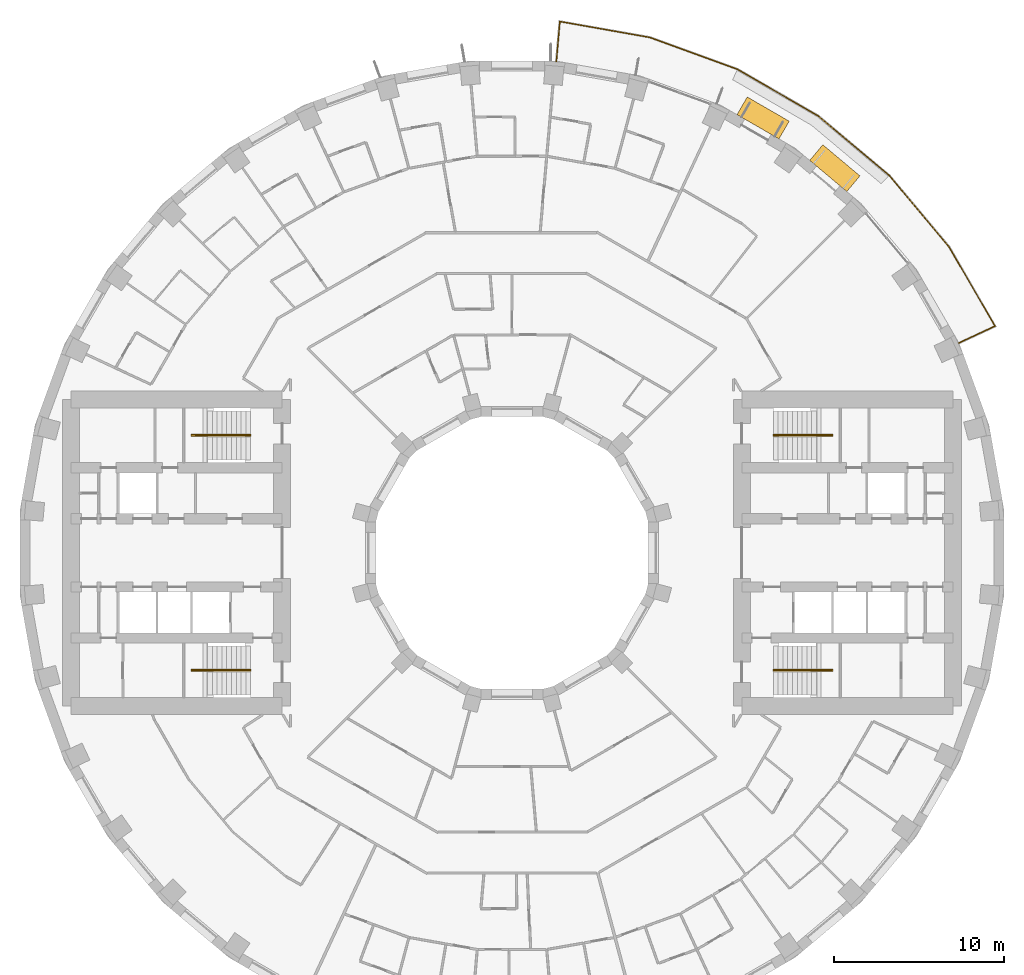
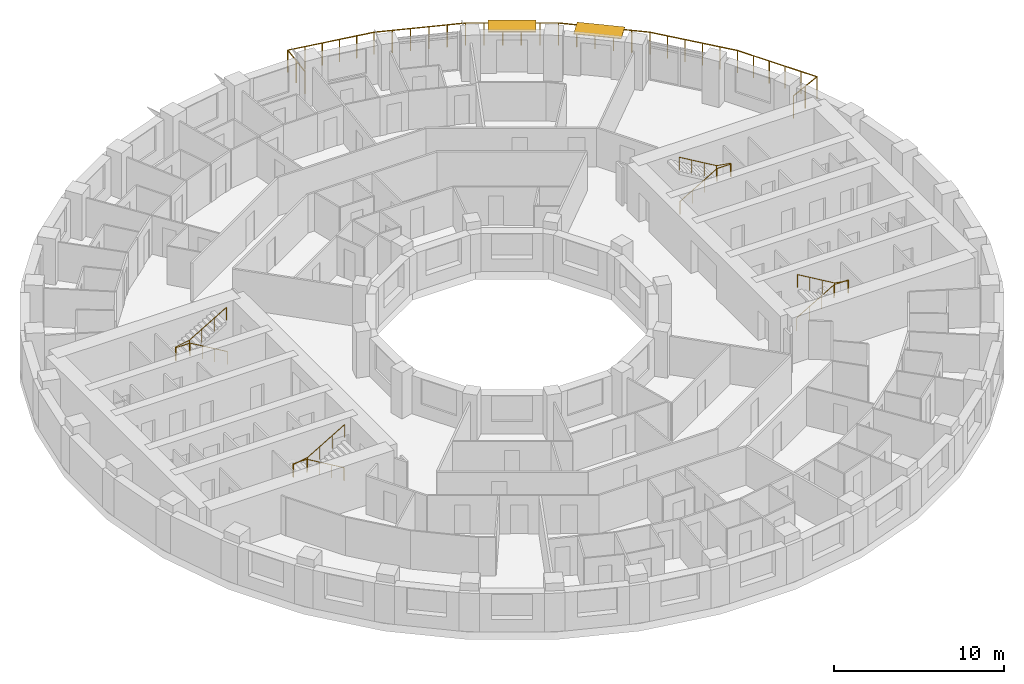
# One storey, part 15 of 15: 5 railings, 2 shading devices.
"""IFC4 building model written with IfcOpenShell, lengths in metres."""

from ifc_helpers import new_model, si_unit, direction, frame, origin, origin_2d, place, context, subcontext, project, spatial, rectangle, circle, extrude, material, layer, layer_set, type_object, element, save


model = new_model("IFC4")

# Units and contexts
model_context = context("Model", 3, precision=1e-05, world=origin(), true_north=direction((0.0, 1.0)))
body_context = subcontext(model_context, "Body", "Model", "MODEL_VIEW")
ifc_project = project(units=[si_unit("LENGTHUNIT", "METRE"), si_unit("AREAUNIT", "SQUARE_METRE"), si_unit("VOLUMEUNIT", "CUBIC_METRE"), si_unit("PLANEANGLEUNIT", "RADIAN"), si_unit("MASSUNIT", "GRAM", prefix="KILO")], contexts=[model_context])

# Site, building, storey
site_placement = place(None, origin())
site = spatial("IfcSite", under=ifc_project, at=site_placement, CompositionType="ELEMENT")
building_placement = place(site_placement, origin())
building = spatial("IfcBuilding", under=site, at=building_placement, Name="Saqina Gate Tower", CompositionType="ELEMENT")
storey_placement = place(building_placement, frame((0.0, 0.0, 72.5)))
storey = spatial("IfcBuildingStorey", under=building, at=storey_placement, Name="L20", CompositionType="ELEMENT", Elevation=72.5)

# Shading devices
ifc_material_1 = material(Name="Aluminium and fabric awning", Category="aluminium")
ifc_layer = layer(ifc_material_1, 0.050048828125)
ifc_layer_set = layer_set([ifc_layer], Name="AW-TERRACE")
shading_device_type = type_object("IfcShadingDeviceType", Name="AW-TERRACE", PredefinedType="AWNING", material=ifc_layer_set)
for number, where, z_axis, x_axis, name in (
    (1, (18.95556640625, 22.59033203125, 2.52490234375), (0.0, 0.0, 1.0), (-0.766044443119, 0.642787609687, 0.0), "Terrace awning L20 facet 5"),
    (2, (14.744873046875, 25.538818359375, 2.52490234375), (0.0, 0.0, 1.0), (-0.866025403784, 0.5, 0.0), "Terrace awning L20 facet 6"),
):
    element("IfcShadingDevice", number, at=place(storey_placement, frame(where, z_axis=z_axis, x_axis=x_axis)), inside=storey, type_object=shading_device_type, Name=name, PredefinedType="AWNING", context=body_context, shape_type="SweptSolid", body=[
        extrude(rectangle(XDim=2.845703125, YDim=1.199951171875, at=origin_2d()), origin(), (0.0, 0.0, 1.0), 0.050048828125),
    ])

# Railings
ifc_material_2 = material(Name="Stainless steel", Category="steel")
railing_type_1 = type_object("IfcRailingType", Name="RL-TERRACE", PredefinedType="GUARDRAIL", material=ifc_material_2)
railing_1_placement = place(storey_placement, frame((26.194580078125, 12.302978515625, 0.0)))
element("IfcRailing", 3, at=railing_1_placement, inside=storey, type_object=railing_type_1, Name="Terrace guard L20", PredefinedType="GUARDRAIL", context=body_context, shape_type="SweptSolid", body=[
    extrude(circle(Radius=0.02392578125, at=origin_2d()), frame((0.0, 0.0, 1.576171875), z_axis=(0.906295364449, 0.422644901044, 0.0), x_axis=(-0.422644901044, 0.906295364449, 0.0)), (0.0, 0.0, 1.0), 2.38916015625),
    extrude(circle(Radius=0.02392578125, at=origin_2d()), frame((2.165283203125, 1.009765625, 1.576171875), z_axis=(-0.50114357045, 0.8653641556, 0.0), x_axis=(-0.8653641556, -0.50114357045, 0.0)), (0.0, 0.0, 1.0), 5.38134765625),
    extrude(circle(Radius=0.02392578125, at=origin_2d()), frame((-0.531494140625, 5.66650390625, 1.576171875), z_axis=(-0.642788339532, 0.766043830705, 0.0), x_axis=(-0.766043830705, -0.642788339532, 0.0)), (0.0, 0.0, 1.0), 5.4609375),
    extrude(circle(Radius=0.02392578125, at=origin_2d()), frame((-4.041748046875, 9.849853515625, 1.576171875), z_axis=(-0.766043830705, 0.642788339532, 0.0), x_axis=(-0.642788339532, -0.766043830705, 0.0)), (0.0, 0.0, 1.0), 5.4609375),
    extrude(circle(Radius=0.02392578125, at=origin_2d()), frame((-8.22509765625, 13.360107421875, 1.576171875), z_axis=(-0.866033716285, 0.499985602051, 0.0), x_axis=(-0.499985602051, -0.866033716285, 0.0)), (0.0, 0.0, 1.0), 5.461181640625),
    extrude(circle(Radius=0.02392578125, at=origin_2d()), frame((-12.95458984375, 16.090576171875, 1.576171875), z_axis=(-0.939682423935, 0.342048157644, 0.0), x_axis=(-0.342048157644, -0.939682423935, 0.0)), (0.0, 0.0, 1.0), 5.4609375),
    extrude(circle(Radius=0.02392578125, at=origin_2d()), frame((-18.086181640625, 17.95849609375, 1.576171875), z_axis=(-0.98458560798, 0.174903346333, 0.0), x_axis=(-0.174903346333, -0.98458560798, 0.0)), (0.0, 0.0, 1.0), 5.381103515625),
    extrude(circle(Radius=0.02392578125, at=origin_2d()), frame((-23.38427734375, 18.899658203125, 1.576171875), z_axis=(-0.087180896688, -0.996192497087, 0.0), x_axis=(0.996192497087, -0.087180896688, 0.0)), (0.0, 0.0, 1.0), 2.388671875),
    extrude(circle(Radius=0.02099609375, at=origin_2d()), origin(), (0.0, 0.0, 1.0), 1.552001953125),
    extrude(circle(Radius=0.02099609375, at=origin_2d()), frame((1.08251953125, 0.5048828125, 0.0)), (0.0, 0.0, 1.0), 1.552001953125),
    extrude(circle(Radius=0.02099609375, at=origin_2d()), frame((2.165283203125, 1.009765625, 0.0)), (0.0, 0.0, 1.0), 1.552001953125),
    extrude(circle(Radius=0.02099609375, at=origin_2d()), frame((1.6259765625, 1.941162109375, 0.0)), (0.0, 0.0, 1.0), 1.552001953125),
    extrude(circle(Radius=0.02099609375, at=origin_2d()), frame((1.086669921875, 2.87255859375, 0.0)), (0.0, 0.0, 1.0), 1.552001953125),
    extrude(circle(Radius=0.02099609375, at=origin_2d()), frame((0.547119140625, 3.8037109375, 0.0)), (0.0, 0.0, 1.0), 1.552001953125),
    extrude(circle(Radius=0.02099609375, at=origin_2d()), frame((0.0078125, 4.735107421875, 0.0)), (0.0, 0.0, 1.0), 1.552001953125),
    extrude(circle(Radius=0.02099609375, at=origin_2d()), frame((-0.531494140625, 5.66650390625, 0.0)), (0.0, 0.0, 1.0), 1.552001953125),
    extrude(circle(Radius=0.02099609375, at=origin_2d()), frame((-1.233642578125, 6.503173828125, 0.0)), (0.0, 0.0, 1.0), 1.552001953125),
    extrude(circle(Radius=0.02099609375, at=origin_2d()), frame((-1.935546875, 7.33984375, 0.0)), (0.0, 0.0, 1.0), 1.552001953125),
    extrude(circle(Radius=0.02099609375, at=origin_2d()), frame((-2.6376953125, 8.176513671875, 0.0)), (0.0, 0.0, 1.0), 1.552001953125),
    extrude(circle(Radius=0.02099609375, at=origin_2d()), frame((-3.339599609375, 9.01318359375, 0.0)), (0.0, 0.0, 1.0), 1.552001953125),
    extrude(circle(Radius=0.02099609375, at=origin_2d()), frame((-4.041748046875, 9.849853515625, 0.0)), (0.0, 0.0, 1.0), 1.552001953125),
    extrude(circle(Radius=0.02099609375, at=origin_2d()), frame((-4.87841796875, 10.552001953125, 0.0)), (0.0, 0.0, 1.0), 1.552001953125),
    extrude(circle(Radius=0.02099609375, at=origin_2d()), frame((-5.715087890625, 11.25390625, 0.0)), (0.0, 0.0, 1.0), 1.552001953125),
    extrude(circle(Radius=0.02099609375, at=origin_2d()), frame((-6.5517578125, 11.9560546875, 0.0)), (0.0, 0.0, 1.0), 1.552001953125),
    extrude(circle(Radius=0.02099609375, at=origin_2d()), frame((-7.388427734375, 12.657958984375, 0.0)), (0.0, 0.0, 1.0), 1.552001953125),
    extrude(circle(Radius=0.02099609375, at=origin_2d()), frame((-8.22509765625, 13.360107421875, 0.0)), (0.0, 0.0, 1.0), 1.552001953125),
    extrude(circle(Radius=0.02099609375, at=origin_2d()), frame((-9.1708984375, 13.90625, 0.0)), (0.0, 0.0, 1.0), 1.552001953125),
    extrude(circle(Radius=0.02099609375, at=origin_2d()), frame((-10.116943359375, 14.452392578125, 0.0)), (0.0, 0.0, 1.0), 1.552001953125),
    extrude(circle(Radius=0.02099609375, at=origin_2d()), frame((-11.062744140625, 14.998291015625, 0.0)), (0.0, 0.0, 1.0), 1.552001953125),
    extrude(circle(Radius=0.02099609375, at=origin_2d()), frame((-12.0087890625, 15.54443359375, 0.0)), (0.0, 0.0, 1.0), 1.552001953125),
    extrude(circle(Radius=0.02099609375, at=origin_2d()), frame((-12.95458984375, 16.090576171875, 0.0)), (0.0, 0.0, 1.0), 1.552001953125),
    extrude(circle(Radius=0.02099609375, at=origin_2d()), frame((-13.98095703125, 16.464111328125, 0.0)), (0.0, 0.0, 1.0), 1.552001953125),
    extrude(circle(Radius=0.02099609375, at=origin_2d()), frame((-15.00732421875, 16.837646484375, 0.0)), (0.0, 0.0, 1.0), 1.552001953125),
    extrude(circle(Radius=0.02099609375, at=origin_2d()), frame((-16.033447265625, 17.21142578125, 0.0)), (0.0, 0.0, 1.0), 1.552001953125),
    extrude(circle(Radius=0.02099609375, at=origin_2d()), frame((-17.059814453125, 17.5849609375, 0.0)), (0.0, 0.0, 1.0), 1.552001953125),
    extrude(circle(Radius=0.02099609375, at=origin_2d()), frame((-18.086181640625, 17.95849609375, 0.0)), (0.0, 0.0, 1.0), 1.552001953125),
    extrude(circle(Radius=0.02099609375, at=origin_2d()), frame((-19.145751953125, 18.146728515625, 0.0)), (0.0, 0.0, 1.0), 1.552001953125),
    extrude(circle(Radius=0.02099609375, at=origin_2d()), frame((-20.205322265625, 18.3349609375, 0.0)), (0.0, 0.0, 1.0), 1.552001953125),
    extrude(circle(Radius=0.02099609375, at=origin_2d()), frame((-21.26513671875, 18.523193359375, 0.0)), (0.0, 0.0, 1.0), 1.552001953125),
    extrude(circle(Radius=0.02099609375, at=origin_2d()), frame((-22.32470703125, 18.71142578125, 0.0)), (0.0, 0.0, 1.0), 1.552001953125),
    extrude(circle(Radius=0.02099609375, at=origin_2d()), frame((-23.38427734375, 18.899658203125, 0.0)), (0.0, 0.0, 1.0), 1.552001953125),
    extrude(circle(Radius=0.02099609375, at=origin_2d()), frame((-23.48828125, 17.7099609375, 0.0)), (0.0, 0.0, 1.0), 1.552001953125),
    extrude(circle(Radius=0.02099609375, at=origin_2d()), frame((-23.592529296875, 16.52001953125, 0.0)), (0.0, 0.0, 1.0), 1.552001953125),
])
ifc_material_3 = material(Name="Stainless steel", Category="steel")
railing_type_2 = type_object("IfcRailingType", Name="STAIR HANDRAIL", PredefinedType="HANDRAIL", material=ifc_material_3)
railing_2_placement = place(storey_placement, frame((15.35009765625, 6.86669921875, 0.1650390625)))
element("IfcRailing", 4, at=railing_2_placement, inside=storey, type_object=railing_type_2, Name="EXIT STAIR 1 HANDRAIL", PredefinedType="HANDRAIL", context=body_context, shape_type="SweptSolid", body=[
    extrude(circle(Radius=0.02392578125, at=origin_2d()), frame((0.0, 0.0, 0.92578125), z_axis=(0.861560626758, 0.0, 0.507654692109), x_axis=(0.0, 1.0, 0.0)), (0.0, 0.0, 1.0), 2.925048828125),
    extrude(circle(Radius=0.02392578125, at=origin_2d()), frame((2.52001953125, 0.0, 2.41064453125), z_axis=(1.0, 0.0, 0.0), x_axis=(0.0, 1.0, 0.0)), (0.0, 0.0, 1.0), 0.949951171875),
    extrude(circle(Radius=0.02392578125, at=origin_2d()), frame((3.469970703125, 0.0, 2.41064453125), z_axis=(0.0, 1.0, 0.0), x_axis=(-1.0, 0.0, 0.0)), (0.0, 0.0, 1.0), 0.066650390625),
    extrude(circle(Radius=0.02392578125, at=origin_2d()), frame((3.469970703125, 0.066650390625, 2.41064453125), z_axis=(-0.985241474778, 0.0, 0.171170197109), x_axis=(0.0, -1.0, 0.0)), (0.0, 0.0, 1.0), 0.964111328125),
    extrude(circle(Radius=0.02392578125, at=origin_2d()), frame((2.52001953125, 0.066650390625, 2.57568359375), z_axis=(-0.86152411907, 0.0, 0.507716645641), x_axis=(0.0, -1.0, 0.0)), (0.0, 0.0, 1.0), 2.925048828125),
    extrude(circle(Radius=0.02099609375, at=origin_2d()), origin(), (0.0, 0.0, 1.0), 0.90185546875),
    extrude(circle(Radius=0.02099609375, at=origin_2d()), frame((0.840087890625, 0.0, 0.494873046875)), (0.0, 0.0, 1.0), 0.90185546875),
    extrude(circle(Radius=0.02099609375, at=origin_2d()), frame((1.679931640625, 0.0, 0.989990234375)), (0.0, 0.0, 1.0), 0.90185546875),
    extrude(circle(Radius=0.02099609375, at=origin_2d()), frame((2.52001953125, 0.0, 1.48486328125)), (0.0, 0.0, 1.0), 0.90185546875),
    extrude(circle(Radius=0.02099609375, at=origin_2d()), frame((3.469970703125, 0.0, 1.48486328125)), (0.0, 0.0, 1.0), 0.90185546875),
    extrude(circle(Radius=0.02099609375, at=origin_2d()), frame((3.469970703125, 0.066650390625, 1.48486328125)), (0.0, 0.0, 1.0), 0.90185546875),
    extrude(circle(Radius=0.02099609375, at=origin_2d()), frame((2.52001953125, 0.066650390625, 1.64990234375)), (0.0, 0.0, 1.0), 0.90185546875),
    extrude(circle(Radius=0.02099609375, at=origin_2d()), frame((1.679931640625, 0.066650390625, 2.14501953125)), (0.0, 0.0, 1.0), 0.90185546875),
    extrude(circle(Radius=0.02099609375, at=origin_2d()), frame((0.840087890625, 0.066650390625, 2.639892578125)), (0.0, 0.0, 1.0), 0.90185546875),
    extrude(circle(Radius=0.02099609375, at=origin_2d()), frame((0.0, 0.066650390625, 3.135009765625)), (0.0, 0.0, 1.0), 0.90185546875),
])
railing_3_placement = place(storey_placement, frame((15.35009765625, -6.86669921875, 0.1650390625)))
element("IfcRailing", 5, at=railing_3_placement, inside=storey, type_object=railing_type_2, Name="EXIT STAIR 2 HANDRAIL", PredefinedType="HANDRAIL", context=body_context, shape_type="SweptSolid", body=[
    extrude(circle(Radius=0.02392578125, at=origin_2d()), frame((0.0, 0.0, 0.92578125), z_axis=(0.861560626758, 0.0, 0.507654692109), x_axis=(0.0, 1.0, 0.0)), (0.0, 0.0, 1.0), 2.925048828125),
    extrude(circle(Radius=0.02392578125, at=origin_2d()), frame((2.52001953125, 0.0, 2.41064453125), z_axis=(1.0, 0.0, 0.0), x_axis=(0.0, 1.0, 0.0)), (0.0, 0.0, 1.0), 0.949951171875),
    extrude(circle(Radius=0.02392578125, at=origin_2d()), frame((3.469970703125, 0.0, 2.41064453125), z_axis=(0.0, -1.0, 0.0), x_axis=(1.0, 0.0, 0.0)), (0.0, 0.0, 1.0), 0.066650390625),
    extrude(circle(Radius=0.02392578125, at=origin_2d()), frame((3.469970703125, -0.066650390625, 2.41064453125), z_axis=(-0.985241474778, 0.0, 0.171170197109), x_axis=(0.0, -1.0, 0.0)), (0.0, 0.0, 1.0), 0.964111328125),
    extrude(circle(Radius=0.02392578125, at=origin_2d()), frame((2.52001953125, -0.066650390625, 2.57568359375), z_axis=(-0.86152411907, 0.0, 0.507716645641), x_axis=(0.0, -1.0, 0.0)), (0.0, 0.0, 1.0), 2.925048828125),
    extrude(circle(Radius=0.02099609375, at=origin_2d()), origin(), (0.0, 0.0, 1.0), 0.90185546875),
    extrude(circle(Radius=0.02099609375, at=origin_2d()), frame((0.840087890625, 0.0, 0.494873046875)), (0.0, 0.0, 1.0), 0.90185546875),
    extrude(circle(Radius=0.02099609375, at=origin_2d()), frame((1.679931640625, 0.0, 0.989990234375)), (0.0, 0.0, 1.0), 0.90185546875),
    extrude(circle(Radius=0.02099609375, at=origin_2d()), frame((2.52001953125, 0.0, 1.48486328125)), (0.0, 0.0, 1.0), 0.90185546875),
    extrude(circle(Radius=0.02099609375, at=origin_2d()), frame((3.469970703125, 0.0, 1.48486328125)), (0.0, 0.0, 1.0), 0.90185546875),
    extrude(circle(Radius=0.02099609375, at=origin_2d()), frame((3.469970703125, -0.066650390625, 1.48486328125)), (0.0, 0.0, 1.0), 0.90185546875),
    extrude(circle(Radius=0.02099609375, at=origin_2d()), frame((2.52001953125, -0.066650390625, 1.64990234375)), (0.0, 0.0, 1.0), 0.90185546875),
    extrude(circle(Radius=0.02099609375, at=origin_2d()), frame((1.679931640625, -0.066650390625, 2.14501953125)), (0.0, 0.0, 1.0), 0.90185546875),
    extrude(circle(Radius=0.02099609375, at=origin_2d()), frame((0.840087890625, -0.066650390625, 2.639892578125)), (0.0, 0.0, 1.0), 0.90185546875),
    extrude(circle(Radius=0.02099609375, at=origin_2d()), frame((0.0, -0.066650390625, 3.135009765625)), (0.0, 0.0, 1.0), 0.90185546875),
])
railing_4_placement = place(storey_placement, frame((-15.35009765625, 6.86669921875, 0.1650390625)))
element("IfcRailing", 6, at=railing_4_placement, inside=storey, type_object=railing_type_2, Name="EXIT STAIR 3 HANDRAIL", PredefinedType="HANDRAIL", context=body_context, shape_type="SweptSolid", body=[
    extrude(circle(Radius=0.02392578125, at=origin_2d()), frame((0.0, 0.0, 0.92578125), z_axis=(-0.861560626758, 0.0, 0.507654692109), x_axis=(0.0, -1.0, 0.0)), (0.0, 0.0, 1.0), 2.925048828125),
    extrude(circle(Radius=0.02392578125, at=origin_2d()), frame((-2.52001953125, 0.0, 2.41064453125), z_axis=(-1.0, 0.0, 0.0), x_axis=(0.0, -1.0, 0.0)), (0.0, 0.0, 1.0), 0.949951171875),
    extrude(circle(Radius=0.02392578125, at=origin_2d()), frame((-3.469970703125, 0.0, 2.41064453125), z_axis=(0.0, 1.0, 0.0), x_axis=(-1.0, 0.0, 0.0)), (0.0, 0.0, 1.0), 0.066650390625),
    extrude(circle(Radius=0.02392578125, at=origin_2d()), frame((-3.469970703125, 0.066650390625, 2.41064453125), z_axis=(0.985241474778, 0.0, 0.171170197109), x_axis=(0.0, 1.0, 0.0)), (0.0, 0.0, 1.0), 0.964111328125),
    extrude(circle(Radius=0.02392578125, at=origin_2d()), frame((-2.52001953125, 0.066650390625, 2.57568359375), z_axis=(0.86152411907, 0.0, 0.507716645641), x_axis=(0.0, 1.0, 0.0)), (0.0, 0.0, 1.0), 2.925048828125),
    extrude(circle(Radius=0.02099609375, at=origin_2d()), origin(), (0.0, 0.0, 1.0), 0.90185546875),
    extrude(circle(Radius=0.02099609375, at=origin_2d()), frame((-0.840087890625, 0.0, 0.494873046875)), (0.0, 0.0, 1.0), 0.90185546875),
    extrude(circle(Radius=0.02099609375, at=origin_2d()), frame((-1.679931640625, 0.0, 0.989990234375)), (0.0, 0.0, 1.0), 0.90185546875),
    extrude(circle(Radius=0.02099609375, at=origin_2d()), frame((-2.52001953125, 0.0, 1.48486328125)), (0.0, 0.0, 1.0), 0.90185546875),
    extrude(circle(Radius=0.02099609375, at=origin_2d()), frame((-3.469970703125, 0.0, 1.48486328125)), (0.0, 0.0, 1.0), 0.90185546875),
    extrude(circle(Radius=0.02099609375, at=origin_2d()), frame((-3.469970703125, 0.066650390625, 1.48486328125)), (0.0, 0.0, 1.0), 0.90185546875),
    extrude(circle(Radius=0.02099609375, at=origin_2d()), frame((-2.52001953125, 0.066650390625, 1.64990234375)), (0.0, 0.0, 1.0), 0.90185546875),
    extrude(circle(Radius=0.02099609375, at=origin_2d()), frame((-1.679931640625, 0.066650390625, 2.14501953125)), (0.0, 0.0, 1.0), 0.90185546875),
    extrude(circle(Radius=0.02099609375, at=origin_2d()), frame((-0.840087890625, 0.066650390625, 2.639892578125)), (0.0, 0.0, 1.0), 0.90185546875),
    extrude(circle(Radius=0.02099609375, at=origin_2d()), frame((0.0, 0.066650390625, 3.135009765625)), (0.0, 0.0, 1.0), 0.90185546875),
])
railing_5_placement = place(storey_placement, frame((-15.35009765625, -6.86669921875, 0.1650390625)))
element("IfcRailing", 7, at=railing_5_placement, inside=storey, type_object=railing_type_2, Name="EXIT STAIR 4 HANDRAIL", PredefinedType="HANDRAIL", context=body_context, shape_type="SweptSolid", body=[
    extrude(circle(Radius=0.02392578125, at=origin_2d()), frame((0.0, 0.0, 0.92578125), z_axis=(-0.861560626758, 0.0, 0.507654692109), x_axis=(0.0, -1.0, 0.0)), (0.0, 0.0, 1.0), 2.925048828125),
    extrude(circle(Radius=0.02392578125, at=origin_2d()), frame((-2.52001953125, 0.0, 2.41064453125), z_axis=(-1.0, 0.0, 0.0), x_axis=(0.0, -1.0, 0.0)), (0.0, 0.0, 1.0), 0.949951171875),
    extrude(circle(Radius=0.02392578125, at=origin_2d()), frame((-3.469970703125, 0.0, 2.41064453125), z_axis=(0.0, -1.0, 0.0), x_axis=(1.0, 0.0, 0.0)), (0.0, 0.0, 1.0), 0.066650390625),
    extrude(circle(Radius=0.02392578125, at=origin_2d()), frame((-3.469970703125, -0.066650390625, 2.41064453125), z_axis=(0.985241474778, 0.0, 0.171170197109), x_axis=(0.0, 1.0, 0.0)), (0.0, 0.0, 1.0), 0.964111328125),
    extrude(circle(Radius=0.02392578125, at=origin_2d()), frame((-2.52001953125, -0.066650390625, 2.57568359375), z_axis=(0.86152411907, 0.0, 0.507716645641), x_axis=(0.0, 1.0, 0.0)), (0.0, 0.0, 1.0), 2.925048828125),
    extrude(circle(Radius=0.02099609375, at=origin_2d()), origin(), (0.0, 0.0, 1.0), 0.90185546875),
    extrude(circle(Radius=0.02099609375, at=origin_2d()), frame((-0.840087890625, 0.0, 0.494873046875)), (0.0, 0.0, 1.0), 0.90185546875),
    extrude(circle(Radius=0.02099609375, at=origin_2d()), frame((-1.679931640625, 0.0, 0.989990234375)), (0.0, 0.0, 1.0), 0.90185546875),
    extrude(circle(Radius=0.02099609375, at=origin_2d()), frame((-2.52001953125, 0.0, 1.48486328125)), (0.0, 0.0, 1.0), 0.90185546875),
    extrude(circle(Radius=0.02099609375, at=origin_2d()), frame((-3.469970703125, 0.0, 1.48486328125)), (0.0, 0.0, 1.0), 0.90185546875),
    extrude(circle(Radius=0.02099609375, at=origin_2d()), frame((-3.469970703125, -0.066650390625, 1.48486328125)), (0.0, 0.0, 1.0), 0.90185546875),
    extrude(circle(Radius=0.02099609375, at=origin_2d()), frame((-2.52001953125, -0.066650390625, 1.64990234375)), (0.0, 0.0, 1.0), 0.90185546875),
    extrude(circle(Radius=0.02099609375, at=origin_2d()), frame((-1.679931640625, -0.066650390625, 2.14501953125)), (0.0, 0.0, 1.0), 0.90185546875),
    extrude(circle(Radius=0.02099609375, at=origin_2d()), frame((-0.840087890625, -0.066650390625, 2.639892578125)), (0.0, 0.0, 1.0), 0.90185546875),
    extrude(circle(Radius=0.02099609375, at=origin_2d()), frame((0.0, -0.066650390625, 3.135009765625)), (0.0, 0.0, 1.0), 0.90185546875),
])

save(model, "model.ifc")
